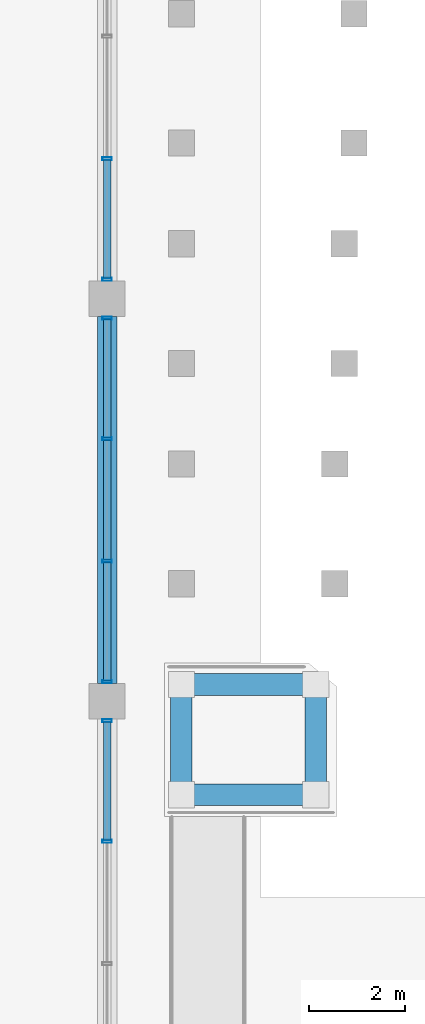
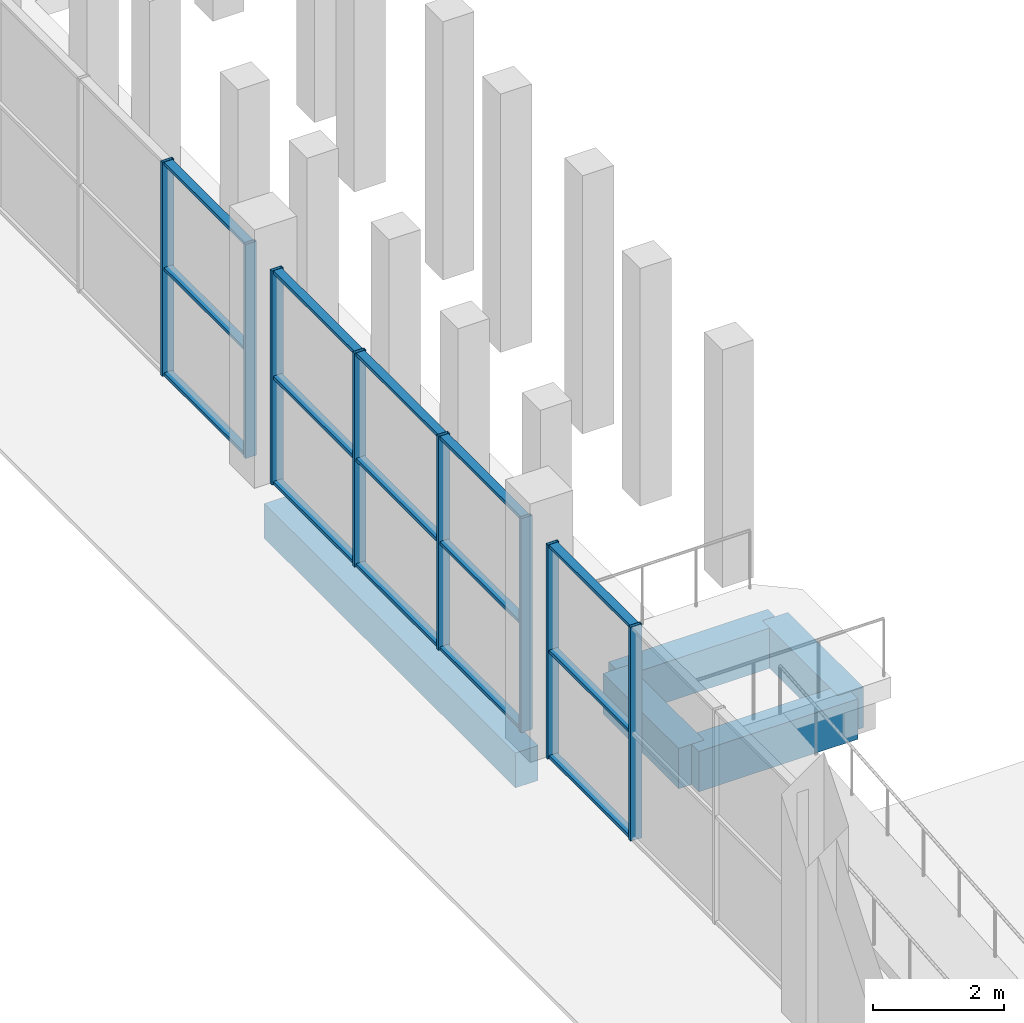
# One storey, part 18 of 130: 23 members, 5 beams, 3 elements without a shape of their own.
"""IFC4 building model written with IfcOpenShell, lengths in metres."""

from ifc_helpers import new_model, si_unit, direction, frame, origin, origin_2d, place, context, subcontext, project, spatial, rectangle, hollow_rectangle, extrude, material, material_profile, profile_set, type_object, element, aggregate, save


model = new_model("IFC4")

# Units and contexts
model_context = context("Model", 3, precision=1e-05, world=origin(), true_north=direction((0.0, 1.0)))
body_context = subcontext(model_context, "Body", "Model", "MODEL_VIEW")
ifc_project = project(units=[si_unit("LENGTHUNIT", "METRE"), si_unit("AREAUNIT", "SQUARE_METRE"), si_unit("VOLUMEUNIT", "CUBIC_METRE"), si_unit("PLANEANGLEUNIT", "RADIAN"), si_unit("MASSUNIT", "GRAM", prefix="KILO"), si_unit("THERMODYNAMICTEMPERATUREUNIT", "KELVIN")], contexts=[model_context])

# Site, building, storey
site_placement = place(None, origin())
site = spatial("IfcSite", under=ifc_project, at=site_placement, CompositionType="ELEMENT")
building_placement = place(site_placement, origin())
building = spatial("IfcBuilding", under=site, at=building_placement, Name="Nduvali Passage Aquatics Centre", CompositionType="ELEMENT")
storey_placement = place(building_placement, origin())
storey = spatial("IfcBuildingStorey", under=building, at=storey_placement, Name="L00", CompositionType="ELEMENT", Elevation=0.0)

# Curtain wall, members
ifc_material_1 = material(Name="Aluminium EN AW-6063 T6", Category="aluminium")
curtain_wall_type = type_object("IfcCurtainWallType", Name="ENV-CW-DIVE", PredefinedType="NOTDEFINED", material=ifc_material_1)
curtain_wall_1_placement = place(storey_placement, origin())
curtain_wall_1 = element("IfcCurtainWall", 1, at=curtain_wall_1_placement, inside=storey, type_object=curtain_wall_type, Name="L00 West Diving Pool Viewing CW 127", PredefinedType="NOTDEFINED")
ifc_material_profile_1 = material_profile(ifc_material_1, hollow_rectangle(XDim=0.06005859375, YDim=0.199951171875, WallThickness=0.00390625, at=origin_2d()), Name="ALU MULLION 60x200x4")
ifc_profile_set_1 = profile_set([ifc_material_profile_1], Name="Aluminium EN AW-6063 T6")
member_type_1 = type_object("IfcMemberType", Name="ENV-MEM-MUL80", PredefinedType="MULLION", material=ifc_profile_set_1)
member_1_placement = place(storey_placement, frame((0.0, 47.47509765625, 0.0), z_axis=(0.0, 0.0, 1.0), x_axis=(0.0, 1.0, 0.0)))
member_1 = element("IfcMember", 2, at=member_1_placement, type_object=member_type_1, Name="West Diving Pool Viewing CW Mullion 3", PredefinedType="MULLION", context=body_context, shape_type="SweptSolid", body=[
    extrude(hollow_rectangle(XDim=0.06005859375, YDim=0.199951171875, WallThickness=0.00390625, at=origin_2d()), origin(), (0.0, 0.0, 1.0), 3.976318359375),
])
member_2_placement = place(storey_placement, frame((0.0, 49.9951171875, 0.0), z_axis=(0.0, 0.0, 1.0), x_axis=(0.0, 1.0, 0.0)))
member_2 = element("IfcMember", 3, at=member_2_placement, type_object=member_type_1, Name="West Diving Pool Viewing CW Mullion 4", PredefinedType="MULLION", context=body_context, shape_type="SweptSolid", body=[
    extrude(hollow_rectangle(XDim=0.06005859375, YDim=0.199951171875, WallThickness=0.00390625, at=origin_2d()), origin(), (0.0, 0.0, 1.0), 3.976318359375),
])

curtain_wall_2_placement = place(storey_placement, origin())
curtain_wall_2 = element("IfcCurtainWall", 4, at=curtain_wall_2_placement, inside=storey, type_object=curtain_wall_type, Name="L00 West Diving Pool Viewing CW 132", PredefinedType="NOTDEFINED")
member_3_placement = place(storey_placement, frame((0.0, 50.804931640625, 0.0), z_axis=(0.0, 0.0, 1.0), x_axis=(0.0, 1.0, 0.0)))
member_3 = element("IfcMember", 5, at=member_3_placement, type_object=member_type_1, Name="West Diving Pool Viewing CW Mullion 1", PredefinedType="MULLION", context=body_context, shape_type="SweptSolid", body=[
    extrude(hollow_rectangle(XDim=0.06005859375, YDim=0.199951171875, WallThickness=0.00390625, at=origin_2d()), origin(), (0.0, 0.0, 1.0), 3.976318359375),
])
member_4_placement = place(storey_placement, frame((0.0, 53.324951171875, 0.0), z_axis=(0.0, 0.0, 1.0), x_axis=(0.0, 1.0, 0.0)))
member_4 = element("IfcMember", 6, at=member_4_placement, type_object=member_type_1, Name="West Diving Pool Viewing CW Mullion 2", PredefinedType="MULLION", context=body_context, shape_type="SweptSolid", body=[
    extrude(hollow_rectangle(XDim=0.06005859375, YDim=0.199951171875, WallThickness=0.00390625, at=origin_2d()), origin(), (0.0, 0.0, 1.0), 3.976318359375),
])
member_5_placement = place(storey_placement, frame((0.0, 55.875, 0.0), z_axis=(0.0, 0.0, 1.0), x_axis=(0.0, 1.0, 0.0)))
member_5 = element("IfcMember", 7, at=member_5_placement, type_object=member_type_1, Name="West Diving Pool Viewing CW Mullion 3", PredefinedType="MULLION", context=body_context, shape_type="SweptSolid", body=[
    extrude(hollow_rectangle(XDim=0.06005859375, YDim=0.199951171875, WallThickness=0.00390625, at=origin_2d()), origin(), (0.0, 0.0, 1.0), 3.976318359375),
])
member_6_placement = place(storey_placement, frame((0.0, 58.39501953125, 0.0), z_axis=(0.0, 0.0, 1.0), x_axis=(0.0, 1.0, 0.0)))
member_6 = element("IfcMember", 8, at=member_6_placement, type_object=member_type_1, Name="West Diving Pool Viewing CW Mullion 4", PredefinedType="MULLION", context=body_context, shape_type="SweptSolid", body=[
    extrude(hollow_rectangle(XDim=0.06005859375, YDim=0.199951171875, WallThickness=0.00390625, at=origin_2d()), origin(), (0.0, 0.0, 1.0), 3.976318359375),
])

curtain_wall_3_placement = place(storey_placement, origin())
curtain_wall_3 = element("IfcCurtainWall", 9, at=curtain_wall_3_placement, inside=storey, type_object=curtain_wall_type, Name="L00 West Diving Pool Viewing CW 137", PredefinedType="NOTDEFINED")
member_7_placement = place(storey_placement, frame((0.0, 59.205078125, 0.0), z_axis=(0.0, 0.0, 1.0), x_axis=(0.0, 1.0, 0.0)))
member_7 = element("IfcMember", 10, at=member_7_placement, type_object=member_type_1, Name="West Diving Pool Viewing CW Mullion 1", PredefinedType="MULLION", context=body_context, shape_type="SweptSolid", body=[
    extrude(hollow_rectangle(XDim=0.06005859375, YDim=0.199951171875, WallThickness=0.00390625, at=origin_2d()), origin(), (0.0, 0.0, 1.0), 3.976318359375),
])
member_8_placement = place(storey_placement, frame((0.0, 61.72509765625, 0.0), z_axis=(0.0, 0.0, 1.0), x_axis=(0.0, 1.0, 0.0)))
member_8 = element("IfcMember", 11, at=member_8_placement, type_object=member_type_1, Name="West Diving Pool Viewing CW Mullion 2", PredefinedType="MULLION", context=body_context, shape_type="SweptSolid", body=[
    extrude(hollow_rectangle(XDim=0.06005859375, YDim=0.199951171875, WallThickness=0.00390625, at=origin_2d()), origin(), (0.0, 0.0, 1.0), 3.976318359375),
])

# Member
ifc_material_profile_2 = material_profile(ifc_material_1, hollow_rectangle(XDim=0.14990234375, YDim=0.06005859375, WallThickness=0.00390625, at=origin_2d()), Name="ALU TRANSOM 150x60x4")
ifc_profile_set_2 = profile_set([ifc_material_profile_2], Name="Aluminium EN AW-6063 T6")
member_type_2 = type_object("IfcMemberType", Name="ENV-MEM-TRN80", PredefinedType="USERDEFINED", material=ifc_profile_set_2)
member_9_placement = place(storey_placement, frame((0.0, 47.5048828125, 0.030029296875), z_axis=(0.0, 1.0, 0.0), x_axis=(-1.0, 0.0, 0.0)))
member_9 = element("IfcMember", 12, at=member_9_placement, type_object=member_type_2, Name="West Diving Pool Viewing CW Transom B3-R0", ObjectType="TRANSOM", PredefinedType="USERDEFINED", context=body_context, shape_type="SweptSolid", body=[
    extrude(hollow_rectangle(XDim=0.14990234375, YDim=0.06005859375, WallThickness=0.00390625, at=origin_2d()), origin(), (0.0, 0.0, 1.0), 2.460205078125),
])

member_10_placement = place(storey_placement, frame((0.0, 47.5048828125, 1.98828125), z_axis=(0.0, 1.0, 0.0), x_axis=(-1.0, 0.0, 0.0)))
member_10 = element("IfcMember", 13, at=member_10_placement, type_object=member_type_2, Name="West Diving Pool Viewing CW Transom B3-R1", ObjectType="TRANSOM", PredefinedType="USERDEFINED", context=body_context, shape_type="SweptSolid", body=[
    extrude(hollow_rectangle(XDim=0.14990234375, YDim=0.06005859375, WallThickness=0.00390625, at=origin_2d()), origin(), (0.0, 0.0, 1.0), 2.460205078125),
])

member_11_placement = place(storey_placement, frame((0.0, 47.5048828125, 3.9462890625), z_axis=(0.0, 1.0, 0.0), x_axis=(-1.0, 0.0, 0.0)))
member_11 = element("IfcMember", 14, at=member_11_placement, type_object=member_type_2, Name="West Diving Pool Viewing CW Transom B3-R2", ObjectType="TRANSOM", PredefinedType="USERDEFINED", context=body_context, shape_type="SweptSolid", body=[
    extrude(hollow_rectangle(XDim=0.14990234375, YDim=0.06005859375, WallThickness=0.00390625, at=origin_2d()), origin(), (0.0, 0.0, 1.0), 2.460205078125),
])

aggregate(curtain_wall_1, [member_1, member_2, member_9, member_10, member_11])

member_12_placement = place(storey_placement, frame((0.0, 50.8349609375, 0.030029296875), z_axis=(0.0, 1.0, 0.0), x_axis=(-1.0, 0.0, 0.0)))
member_12 = element("IfcMember", 15, at=member_12_placement, type_object=member_type_2, Name="West Diving Pool Viewing CW Transom B1-R0", ObjectType="TRANSOM", PredefinedType="USERDEFINED", context=body_context, shape_type="SweptSolid", body=[
    extrude(hollow_rectangle(XDim=0.14990234375, YDim=0.06005859375, WallThickness=0.00390625, at=origin_2d()), origin(), (0.0, 0.0, 1.0), 2.4599609375),
])

member_13_placement = place(storey_placement, frame((0.0, 50.8349609375, 1.98828125), z_axis=(0.0, 1.0, 0.0), x_axis=(-1.0, 0.0, 0.0)))
member_13 = element("IfcMember", 16, at=member_13_placement, type_object=member_type_2, Name="West Diving Pool Viewing CW Transom B1-R1", ObjectType="TRANSOM", PredefinedType="USERDEFINED", context=body_context, shape_type="SweptSolid", body=[
    extrude(hollow_rectangle(XDim=0.14990234375, YDim=0.06005859375, WallThickness=0.00390625, at=origin_2d()), origin(), (0.0, 0.0, 1.0), 2.4599609375),
])

member_14_placement = place(storey_placement, frame((0.0, 50.8349609375, 3.9462890625), z_axis=(0.0, 1.0, 0.0), x_axis=(-1.0, 0.0, 0.0)))
member_14 = element("IfcMember", 17, at=member_14_placement, type_object=member_type_2, Name="West Diving Pool Viewing CW Transom B1-R2", ObjectType="TRANSOM", PredefinedType="USERDEFINED", context=body_context, shape_type="SweptSolid", body=[
    extrude(hollow_rectangle(XDim=0.14990234375, YDim=0.06005859375, WallThickness=0.00390625, at=origin_2d()), origin(), (0.0, 0.0, 1.0), 2.4599609375),
])

member_15_placement = place(storey_placement, frame((0.0, 53.35498046875, 0.030029296875), z_axis=(0.0, 1.0, 0.0), x_axis=(-1.0, 0.0, 0.0)))
member_15 = element("IfcMember", 18, at=member_15_placement, type_object=member_type_2, Name="West Diving Pool Viewing CW Transom B2-R0", ObjectType="TRANSOM", PredefinedType="USERDEFINED", context=body_context, shape_type="SweptSolid", body=[
    extrude(hollow_rectangle(XDim=0.14990234375, YDim=0.06005859375, WallThickness=0.00390625, at=origin_2d()), origin(), (0.0, 0.0, 1.0), 2.489990234375),
])

member_16_placement = place(storey_placement, frame((0.0, 53.35498046875, 1.98828125), z_axis=(0.0, 1.0, 0.0), x_axis=(-1.0, 0.0, 0.0)))
member_16 = element("IfcMember", 19, at=member_16_placement, type_object=member_type_2, Name="West Diving Pool Viewing CW Transom B2-R1", ObjectType="TRANSOM", PredefinedType="USERDEFINED", context=body_context, shape_type="SweptSolid", body=[
    extrude(hollow_rectangle(XDim=0.14990234375, YDim=0.06005859375, WallThickness=0.00390625, at=origin_2d()), origin(), (0.0, 0.0, 1.0), 2.489990234375),
])

member_17_placement = place(storey_placement, frame((0.0, 53.35498046875, 3.9462890625), z_axis=(0.0, 1.0, 0.0), x_axis=(-1.0, 0.0, 0.0)))
member_17 = element("IfcMember", 20, at=member_17_placement, type_object=member_type_2, Name="West Diving Pool Viewing CW Transom B2-R2", ObjectType="TRANSOM", PredefinedType="USERDEFINED", context=body_context, shape_type="SweptSolid", body=[
    extrude(hollow_rectangle(XDim=0.14990234375, YDim=0.06005859375, WallThickness=0.00390625, at=origin_2d()), origin(), (0.0, 0.0, 1.0), 2.489990234375),
])

member_18_placement = place(storey_placement, frame((0.0, 55.905029296875, 0.030029296875), z_axis=(0.0, 1.0, 0.0), x_axis=(-1.0, 0.0, 0.0)))
member_18 = element("IfcMember", 21, at=member_18_placement, type_object=member_type_2, Name="West Diving Pool Viewing CW Transom B3-R0", ObjectType="TRANSOM", PredefinedType="USERDEFINED", context=body_context, shape_type="SweptSolid", body=[
    extrude(hollow_rectangle(XDim=0.14990234375, YDim=0.06005859375, WallThickness=0.00390625, at=origin_2d()), origin(), (0.0, 0.0, 1.0), 2.4599609375),
])

member_19_placement = place(storey_placement, frame((0.0, 55.905029296875, 1.98828125), z_axis=(0.0, 1.0, 0.0), x_axis=(-1.0, 0.0, 0.0)))
member_19 = element("IfcMember", 22, at=member_19_placement, type_object=member_type_2, Name="West Diving Pool Viewing CW Transom B3-R1", ObjectType="TRANSOM", PredefinedType="USERDEFINED", context=body_context, shape_type="SweptSolid", body=[
    extrude(hollow_rectangle(XDim=0.14990234375, YDim=0.06005859375, WallThickness=0.00390625, at=origin_2d()), origin(), (0.0, 0.0, 1.0), 2.4599609375),
])

member_20_placement = place(storey_placement, frame((0.0, 55.905029296875, 3.9462890625), z_axis=(0.0, 1.0, 0.0), x_axis=(-1.0, 0.0, 0.0)))
member_20 = element("IfcMember", 23, at=member_20_placement, type_object=member_type_2, Name="West Diving Pool Viewing CW Transom B3-R2", ObjectType="TRANSOM", PredefinedType="USERDEFINED", context=body_context, shape_type="SweptSolid", body=[
    extrude(hollow_rectangle(XDim=0.14990234375, YDim=0.06005859375, WallThickness=0.00390625, at=origin_2d()), origin(), (0.0, 0.0, 1.0), 2.4599609375),
])

aggregate(curtain_wall_2, [member_3, member_4, member_5, member_6, member_12, member_13, member_14, member_15, member_16, member_17, member_18, member_19, member_20])

member_21_placement = place(storey_placement, frame((0.0, 59.235107421875, 0.030029296875), z_axis=(0.0, 1.0, 0.0), x_axis=(-1.0, 0.0, 0.0)))
member_21 = element("IfcMember", 24, at=member_21_placement, type_object=member_type_2, Name="West Diving Pool Viewing CW Transom B1-R0", ObjectType="TRANSOM", PredefinedType="USERDEFINED", context=body_context, shape_type="SweptSolid", body=[
    extrude(hollow_rectangle(XDim=0.14990234375, YDim=0.06005859375, WallThickness=0.00390625, at=origin_2d()), origin(), (0.0, 0.0, 1.0), 2.4599609375),
])

member_22_placement = place(storey_placement, frame((0.0, 59.235107421875, 1.98828125), z_axis=(0.0, 1.0, 0.0), x_axis=(-1.0, 0.0, 0.0)))
member_22 = element("IfcMember", 25, at=member_22_placement, type_object=member_type_2, Name="West Diving Pool Viewing CW Transom B1-R1", ObjectType="TRANSOM", PredefinedType="USERDEFINED", context=body_context, shape_type="SweptSolid", body=[
    extrude(hollow_rectangle(XDim=0.14990234375, YDim=0.06005859375, WallThickness=0.00390625, at=origin_2d()), origin(), (0.0, 0.0, 1.0), 2.4599609375),
])

member_23_placement = place(storey_placement, frame((0.0, 59.235107421875, 3.9462890625), z_axis=(0.0, 1.0, 0.0), x_axis=(-1.0, 0.0, 0.0)))
member_23 = element("IfcMember", 26, at=member_23_placement, type_object=member_type_2, Name="West Diving Pool Viewing CW Transom B1-R2", ObjectType="TRANSOM", PredefinedType="USERDEFINED", context=body_context, shape_type="SweptSolid", body=[
    extrude(hollow_rectangle(XDim=0.14990234375, YDim=0.06005859375, WallThickness=0.00390625, at=origin_2d()), origin(), (0.0, 0.0, 1.0), 2.4599609375),
])

aggregate(curtain_wall_3, [member_7, member_8, member_21, member_22, member_23])

# Beams
ifc_material_2 = material(Name="Concrete C40/50", Category="concrete")
ifc_material_profile_3 = material_profile(ifc_material_2, rectangle(XDim=0.449951171875, YDim=0.75, at=origin_2d()), Name="RC 450x750")
ifc_profile_set_3 = profile_set([ifc_material_profile_3], Name="Concrete C40/50")
beam_type_1 = type_object("IfcBeamType", Name="STR-BM-RC4575", PredefinedType="BEAM", material=ifc_profile_set_3)
for number, where, z_axis, x_axis, name in (
    (27, (1.550048828125, 48.449951171875, 0.2451171875), (1.0, 0.0, 0.0), (0.0, 1.0, 0.0), "L00 Diving Platform 1M South Beam B3-1619"),
    (28, (1.550048828125, 50.75, 0.2451171875), (1.0, 0.0, 0.0), (0.0, 1.0, 0.0), "L00 Diving Platform 1M North Beam B3-1620"),
):
    element("IfcBeam", number, at=place(storey_placement, frame(where, z_axis=z_axis, x_axis=x_axis)), inside=storey, type_object=beam_type_1, Name=name, PredefinedType="BEAM", context=body_context, shape_type="SweptSolid", body=[
        extrude(rectangle(XDim=0.449951171875, YDim=0.75, at=origin_2d()), origin(), (0.0, 0.0, 1.0), 2.800048828125),
    ])
for number, where, z_axis, x_axis, name in (
    (29, (1.550048828125, 48.449951171875, 0.2451171875), (0.0, 1.0, 0.0), (-1.0, 0.0, 0.0), "L00 Diving Platform 1M West Beam B3-1621"),
    (30, (4.35009765625, 48.449951171875, 0.2451171875), (0.0, 1.0, 0.0), (-1.0, 0.0, 0.0), "L00 Diving Platform 1M East Beam B3-1622"),
):
    element("IfcBeam", number, at=place(storey_placement, frame(where, z_axis=z_axis, x_axis=x_axis)), inside=storey, type_object=beam_type_1, Name=name, PredefinedType="BEAM", context=body_context, shape_type="SweptSolid", body=[
        extrude(rectangle(XDim=0.449951171875, YDim=0.75, at=origin_2d()), origin(), (0.0, 0.0, 1.0), 2.300048828125),
    ])
ifc_material_profile_4 = material_profile(ifc_material_2, rectangle(XDim=0.39990234375, YDim=0.64990234375, at=origin_2d()), Name="RC 400x650")
ifc_profile_set_4 = profile_set([ifc_material_profile_4], Name="Concrete C40/50")
beam_type_2 = type_object("IfcBeamType", Name="STR-SPN-RC4065-EXT", PredefinedType="SPANDREL", material=ifc_profile_set_4)
beam_placement = place(storey_placement, frame((0.0, 50.77490234375, -0.6650390625), z_axis=(0.0, 1.0, 0.0), x_axis=(-1.0, 0.0, 0.0)))
element("IfcBeam", 31, at=beam_placement, inside=storey, type_object=beam_type_2, Name="L00 Primary Y-Girder SP1E-0115", PredefinedType="SPANDREL", context=body_context, shape_type="SweptSolid", body=[
    extrude(rectangle(XDim=0.39990234375, YDim=0.64990234375, at=origin_2d()), origin(), (0.0, 0.0, 1.0), 7.650146484375),
])

save(model, "model.ifc")
